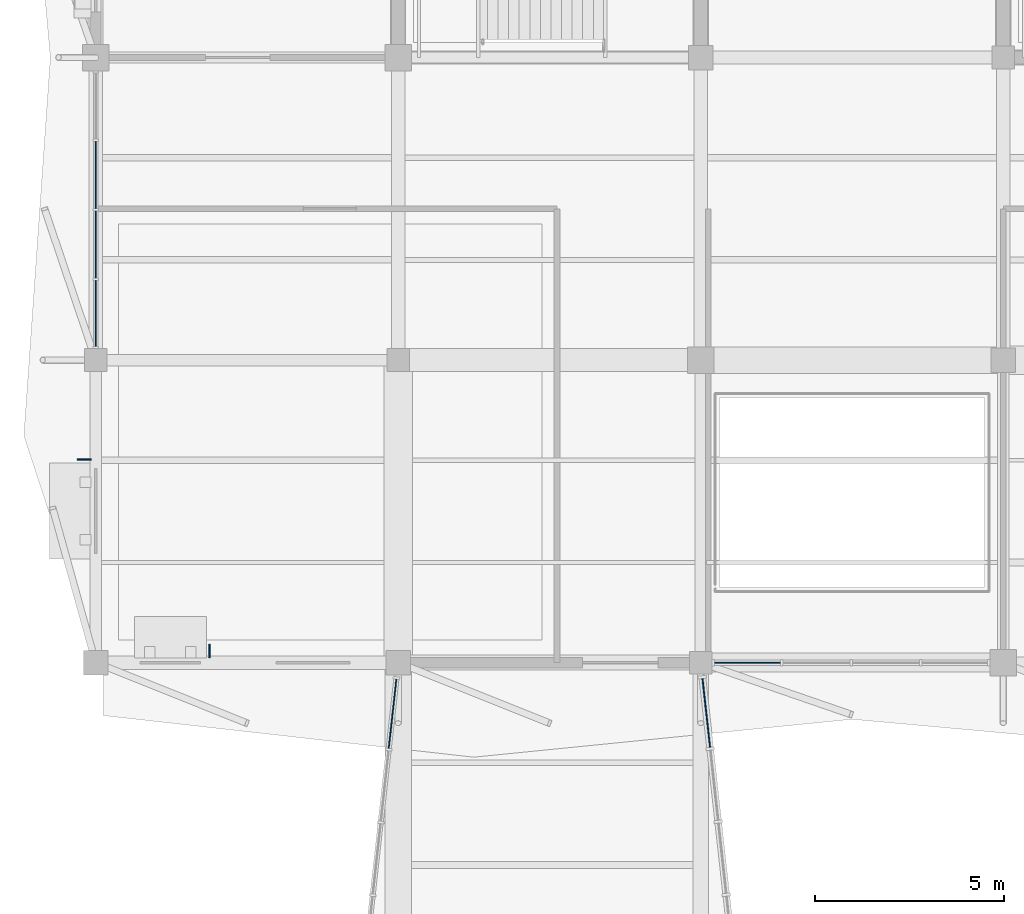
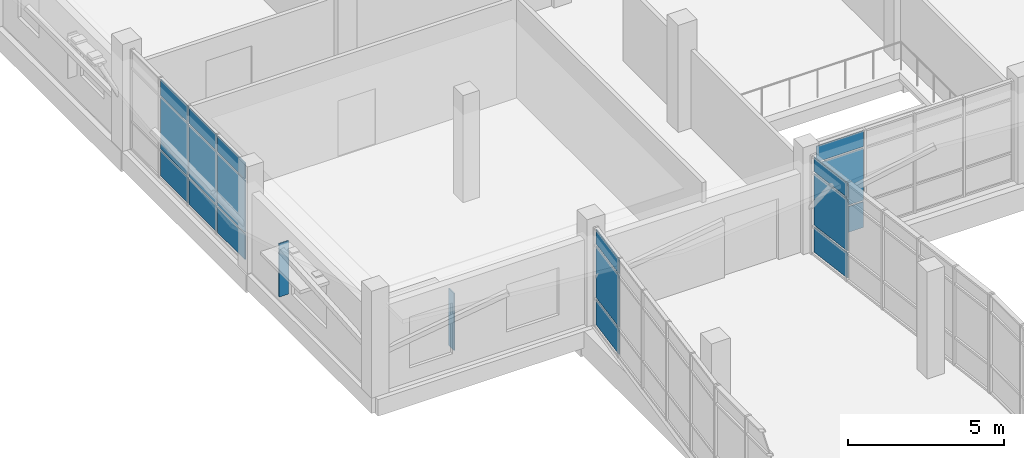
# One storey, part 58 of 84: 20 plates, 4 elements without a shape of their own.
"""IFC4 building model written with IfcOpenShell, lengths in metres."""

from ifc_helpers import new_model, si_unit, direction, frame, origin, origin_2d, place, context, subcontext, project, spatial, rectangle, extrude, material, layer, layer_set, type_object, element, aggregate, save


model = new_model("IFC4")

# Units and contexts
model_context = context("Model", 3, precision=1e-05, world=origin(), true_north=direction((0.0, 1.0)))
body_context = subcontext(model_context, "Body", "Model", "MODEL_VIEW")
ifc_project = project(units=[si_unit("LENGTHUNIT", "METRE"), si_unit("AREAUNIT", "SQUARE_METRE"), si_unit("VOLUMEUNIT", "CUBIC_METRE"), si_unit("PLANEANGLEUNIT", "RADIAN"), si_unit("MASSUNIT", "GRAM", prefix="KILO")], contexts=[model_context])

# Site, building, storey
site_placement = place(None, origin())
site = spatial("IfcSite", under=ifc_project, at=site_placement, CompositionType="ELEMENT")
building_placement = place(site_placement, origin())
building = spatial("IfcBuilding", under=site, at=building_placement, Name="Tenunan Teduh Sports Hall", CompositionType="ELEMENT")
storey_placement = place(building_placement, frame((0.0, 0.0, 10.800048828125)))
storey = spatial("IfcBuildingStorey", under=building, at=storey_placement, Name="L02", CompositionType="ELEMENT", Elevation=10.800048828125)

# Curtain wall, plates
ifc_material_1 = material(Name="Anodised aluminium", Category="aluminium")
curtain_wall_type_1 = type_object("IfcCurtainWallType", Name="CW-BRIDGE-1", PredefinedType="NOTDEFINED", material=ifc_material_1)
curtain_wall_1_placement = place(storey_placement, origin())
curtain_wall_1 = element("IfcCurtainWall", 1, at=curtain_wall_1_placement, inside=storey, type_object=curtain_wall_type_1, Name="CW-CWM-175-L02-186", PredefinedType="NOTDEFINED")
ifc_material_2 = material(Name="Low-E laminated double glazing", Category="glass")
ifc_layer_1 = layer(ifc_material_2, 0.028076171875)
ifc_layer_set_1 = layer_set([ifc_layer_1], Name="Low-E laminated double glazing")
plate_type_1 = type_object("IfcPlateType", Name="CWP-GLZ-28", PredefinedType="CURTAIN_PANEL", material=ifc_layer_set_1)
plate_1_placement = place(storey_placement, frame((13.85107421875, 76.64697265625, 1.13232421875), z_axis=(0.0, 0.0, 1.0), x_axis=(0.109337724315, 0.994004658964, 0.0)))
plate_1 = element("IfcPlate", 2, at=plate_1_placement, type_object=plate_type_1, Name="CW-05 panel 5.2", PredefinedType="CURTAIN_PANEL", context=body_context, shape_type="SweptSolid", body=[
    extrude(rectangle(XDim=1.83935546875, YDim=0.028076171875, at=origin_2d()), origin(), (0.0, 0.0, 1.0), 2.034912109375),
])
plate_2_placement = place(storey_placement, frame((13.85107421875, 76.64697265625, 3.232421875), z_axis=(0.0, 0.0, 1.0), x_axis=(0.109337724315, 0.994004658964, 0.0)))
plate_2 = element("IfcPlate", 3, at=plate_2_placement, type_object=plate_type_1, Name="CW-05 panel 5.3", PredefinedType="CURTAIN_PANEL", context=body_context, shape_type="SweptSolid", body=[
    extrude(rectangle(XDim=1.83935546875, YDim=0.028076171875, at=origin_2d()), origin(), (0.0, 0.0, 1.0), 0.58251953125),
])

ifc_material_3 = material(Name="Anodised aluminium", Category="aluminium")
curtain_wall_type_2 = type_object("IfcCurtainWallType", Name="CW-UNIT-2", PredefinedType="NOTDEFINED", material=ifc_material_3)
curtain_wall_2_placement = place(storey_placement, origin())
curtain_wall_2 = element("IfcCurtainWall", 4, at=curtain_wall_2_placement, inside=storey, type_object=curtain_wall_type_2, Name="CW-CWM-175-L02-210", PredefinedType="NOTDEFINED")
plate_3_placement = place(storey_placement, frame((23.235107421875, 78.0, 1.13232421875), z_axis=(0.0, 0.0, 1.0), x_axis=(1.0, 0.0, 0.0)))
plate_3 = element("IfcPlate", 5, at=plate_3_placement, type_object=plate_type_1, Name="CW-02 panel 1.2", PredefinedType="CURTAIN_PANEL", context=body_context, shape_type="SweptSolid", body=[
    extrude(rectangle(XDim=1.739990234375, YDim=0.028076171875, at=origin_2d()), origin(), (0.0, 0.0, 1.0), 2.034912109375),
])
plate_4_placement = place(storey_placement, frame((23.235107421875, 78.0, 3.232421875), z_axis=(0.0, 0.0, 1.0), x_axis=(1.0, 0.0, 0.0)))
plate_4 = element("IfcPlate", 6, at=plate_4_placement, type_object=plate_type_1, Name="CW-02 panel 1.3", PredefinedType="CURTAIN_PANEL", context=body_context, shape_type="SweptSolid", body=[
    extrude(rectangle(XDim=1.739990234375, YDim=0.028076171875, at=origin_2d()), origin(), (0.0, 0.0, 1.0), 0.62255859375),
])

curtain_wall_3_placement = place(storey_placement, origin())
curtain_wall_3 = element("IfcCurtainWall", 7, at=curtain_wall_3_placement, inside=storey, type_object=curtain_wall_type_1, Name="CW-CWM-220-L02-189", PredefinedType="NOTDEFINED")
ifc_material_4 = material(Name="Solar-control laminated glazing", Category="glass")
ifc_layer_2 = layer(ifc_material_4, 0.031982421875)
ifc_layer_set_2 = layer_set([ifc_layer_2], Name="Solar-control laminated glazing")
plate_type_2 = type_object("IfcPlateType", Name="CWP-GLZ-32", PredefinedType="CURTAIN_PANEL", material=ifc_layer_set_2)
plate_5_placement = place(storey_placement, frame((22.146240234375, 76.67041015625, 1.137451171875), z_axis=(0.0, 0.0, 1.0), x_axis=(-0.109340987788, 0.994004299985, 0.0)))
plate_5 = element("IfcPlate", 8, at=plate_5_placement, type_object=plate_type_2, Name="CW-05 panel 5.2", PredefinedType="CURTAIN_PANEL", context=body_context, shape_type="SweptSolid", body=[
    extrude(rectangle(XDim=1.830078125, YDim=0.031982421875, at=origin_2d()), origin(), (0.0, 0.0, 1.0), 2.02490234375),
])
plate_6_placement = place(storey_placement, frame((22.146240234375, 76.67041015625, 3.237548828125), z_axis=(0.0, 0.0, 1.0), x_axis=(-0.109340987788, 0.994004299985, 0.0)))
plate_6 = element("IfcPlate", 9, at=plate_6_placement, type_object=plate_type_2, Name="CW-05 panel 5.3", PredefinedType="CURTAIN_PANEL", context=body_context, shape_type="SweptSolid", body=[
    extrude(rectangle(XDim=1.830078125, YDim=0.031982421875, at=origin_2d()), origin(), (0.0, 0.0, 1.0), 0.5673828125),
])

curtain_wall_4_placement = place(storey_placement, origin())
curtain_wall_4 = element("IfcCurtainWall", 10, at=curtain_wall_4_placement, inside=storey, type_object=curtain_wall_type_2, Name="CW-CWM-150-L02-219", PredefinedType="NOTDEFINED")
plate_7_placement = place(storey_placement, frame((6.0, 87.233642578125, 1.1298828125), z_axis=(0.0, 0.0, 1.0), x_axis=(0.0, 1.0, 0.0)))
plate_7 = element("IfcPlate", 11, at=plate_7_placement, type_object=plate_type_2, Name="CW-02 panel 1.2", PredefinedType="CURTAIN_PANEL", context=body_context, shape_type="SweptSolid", body=[
    extrude(rectangle(XDim=1.74755859375, YDim=0.031982421875, at=origin_2d()), origin(), (0.0, 0.0, 1.0), 2.0400390625),
])
plate_8_placement = place(storey_placement, frame((6.0, 87.233642578125, 3.22998046875), z_axis=(0.0, 0.0, 1.0), x_axis=(0.0, 1.0, 0.0)))
plate_8 = element("IfcPlate", 12, at=plate_8_placement, type_object=plate_type_2, Name="CW-02 panel 1.3", PredefinedType="CURTAIN_PANEL", context=body_context, shape_type="SweptSolid", body=[
    extrude(rectangle(XDim=1.74755859375, YDim=0.031982421875, at=origin_2d()), origin(), (0.0, 0.0, 1.0), 0.6298828125),
])
plate_9_placement = place(storey_placement, frame((6.0, 89.05615234375, 1.1298828125), z_axis=(0.0, 0.0, 1.0), x_axis=(0.0, 1.0, 0.0)))
plate_9 = element("IfcPlate", 13, at=plate_9_placement, type_object=plate_type_2, Name="CW-02 panel 2.2", PredefinedType="CURTAIN_PANEL", context=body_context, shape_type="SweptSolid", body=[
    extrude(rectangle(XDim=1.777587890625, YDim=0.031982421875, at=origin_2d()), origin(), (0.0, 0.0, 1.0), 2.0400390625),
])
plate_10_placement = place(storey_placement, frame((6.0, 89.05615234375, 3.22998046875), z_axis=(0.0, 0.0, 1.0), x_axis=(0.0, 1.0, 0.0)))
plate_10 = element("IfcPlate", 14, at=plate_10_placement, type_object=plate_type_2, Name="CW-02 panel 2.3", PredefinedType="CURTAIN_PANEL", context=body_context, shape_type="SweptSolid", body=[
    extrude(rectangle(XDim=1.777587890625, YDim=0.031982421875, at=origin_2d()), origin(), (0.0, 0.0, 1.0), 0.6298828125),
])
plate_11_placement = place(storey_placement, frame((6.0, 90.893798828125, 1.1298828125), z_axis=(0.0, 0.0, 1.0), x_axis=(0.0, 1.0, 0.0)))
plate_11 = element("IfcPlate", 15, at=plate_11_placement, type_object=plate_type_2, Name="CW-02 panel 3.2", PredefinedType="CURTAIN_PANEL", context=body_context, shape_type="SweptSolid", body=[
    extrude(rectangle(XDim=1.777587890625, YDim=0.031982421875, at=origin_2d()), origin(), (0.0, 0.0, 1.0), 2.0400390625),
])
plate_12_placement = place(storey_placement, frame((6.0, 90.893798828125, 3.22998046875), z_axis=(0.0, 0.0, 1.0), x_axis=(0.0, 1.0, 0.0)))
plate_12 = element("IfcPlate", 16, at=plate_12_placement, type_object=plate_type_2, Name="CW-02 panel 3.3", PredefinedType="CURTAIN_PANEL", context=body_context, shape_type="SweptSolid", body=[
    extrude(rectangle(XDim=1.777587890625, YDim=0.031982421875, at=origin_2d()), origin(), (0.0, 0.0, 1.0), 0.6298828125),
])

# Plate
ifc_material_5 = material(Name="Insulated aluminium spandrel panel", Category="aluminium")
ifc_layer_3 = layer(ifc_material_5, 0.044921875)
ifc_layer_set_3 = layer_set([ifc_layer_3], Name="Insulated aluminium spandrel panel")
plate_type_3 = type_object("IfcPlateType", Name="CWP-SPN-45", PredefinedType="CURTAIN_PANEL", material=ifc_layer_set_3)
plate_13_placement = place(storey_placement, frame((13.85107421875, 76.64697265625, 0.06494140625), z_axis=(0.0, 0.0, 1.0), x_axis=(0.109337724315, 0.994004658964, 0.0)))
plate_13 = element("IfcPlate", 17, at=plate_13_placement, type_object=plate_type_3, Name="CW-05 panel 5.1", PredefinedType="CURTAIN_PANEL", context=body_context, shape_type="SweptSolid", body=[
    extrude(rectangle(XDim=1.83935546875, YDim=0.028076171875, at=origin_2d()), origin(), (0.0, 0.0, 1.0), 1.00244140625),
])

aggregate(curtain_wall_1, [plate_13, plate_1, plate_2])

plate_14_placement = place(storey_placement, frame((22.146240234375, 76.67041015625, 0.07470703125), z_axis=(0.0, 0.0, 1.0), x_axis=(-0.109340987788, 0.994004299985, 0.0)))
plate_14 = element("IfcPlate", 18, at=plate_14_placement, type_object=plate_type_3, Name="CW-05 panel 5.1", PredefinedType="CURTAIN_PANEL", context=body_context, shape_type="SweptSolid", body=[
    extrude(rectangle(XDim=1.830078125, YDim=0.031982421875, at=origin_2d()), origin(), (0.0, 0.0, 1.0), 0.987548828125),
])

aggregate(curtain_wall_3, [plate_14, plate_5, plate_6])

plate_15_placement = place(storey_placement, frame((23.235107421875, 78.0, 0.06494140625), z_axis=(0.0, 0.0, 1.0), x_axis=(1.0, 0.0, 0.0)))
plate_15 = element("IfcPlate", 19, at=plate_15_placement, type_object=plate_type_3, Name="CW-02 panel 1.1", PredefinedType="CURTAIN_PANEL", context=body_context, shape_type="SweptSolid", body=[
    extrude(rectangle(XDim=1.739990234375, YDim=0.028076171875, at=origin_2d()), origin(), (0.0, 0.0, 1.0), 1.00244140625),
])

aggregate(curtain_wall_2, [plate_15, plate_3, plate_4])

plate_16_placement = place(storey_placement, frame((6.0, 87.233642578125, 0.06005859375), z_axis=(0.0, 0.0, 1.0), x_axis=(0.0, 1.0, 0.0)))
plate_16 = element("IfcPlate", 20, at=plate_16_placement, type_object=plate_type_3, Name="CW-02 panel 1.1", PredefinedType="CURTAIN_PANEL", context=body_context, shape_type="SweptSolid", body=[
    extrude(rectangle(XDim=1.74755859375, YDim=0.031982421875, at=origin_2d()), origin(), (0.0, 0.0, 1.0), 1.010009765625),
])

plate_17_placement = place(storey_placement, frame((6.0, 89.05615234375, 0.06005859375), z_axis=(0.0, 0.0, 1.0), x_axis=(0.0, 1.0, 0.0)))
plate_17 = element("IfcPlate", 21, at=plate_17_placement, type_object=plate_type_3, Name="CW-02 panel 2.1", PredefinedType="CURTAIN_PANEL", context=body_context, shape_type="SweptSolid", body=[
    extrude(rectangle(XDim=1.777587890625, YDim=0.031982421875, at=origin_2d()), origin(), (0.0, 0.0, 1.0), 1.010009765625),
])

plate_18_placement = place(storey_placement, frame((6.0, 90.893798828125, 0.06005859375), z_axis=(0.0, 0.0, 1.0), x_axis=(0.0, 1.0, 0.0)))
plate_18 = element("IfcPlate", 22, at=plate_18_placement, type_object=plate_type_3, Name="CW-02 panel 3.1", PredefinedType="CURTAIN_PANEL", context=body_context, shape_type="SweptSolid", body=[
    extrude(rectangle(XDim=1.777587890625, YDim=0.031982421875, at=origin_2d()), origin(), (0.0, 0.0, 1.0), 1.010009765625),
])

aggregate(curtain_wall_4, [plate_16, plate_7, plate_8, plate_17, plate_9, plate_10, plate_18, plate_11, plate_12])

# Plates
ifc_material_6 = material(Name="Anodised aluminium", Category="aluminium")
ifc_layer_4 = layer(ifc_material_6, 1.89990234375)
ifc_layer_set_4 = layer_set([ifc_layer_4], Name="Anodised aluminium")
plate_type_4 = type_object("IfcPlateType", Name="PLT-FIN-1", PredefinedType="SHEET", material=ifc_layer_set_4)
plate_19_placement = place(storey_placement, frame((9.014892578125, 78.304931640625, 0.43017578125), z_axis=(0.0, 0.0, 1.0), x_axis=(1.0, 0.0, 0.0)))
element("IfcPlate", 23, at=plate_19_placement, inside=storey, type_object=plate_type_4, Name="PLT-FIN-L02-038", PredefinedType="SHEET", context=body_context, shape_type="SweptSolid", body=[
    extrude(rectangle(XDim=0.0400390625, YDim=0.360107421875, at=origin_2d()), origin(), (0.0, 0.0, 1.0), 2.239990234375),
])
plate_20_placement = place(storey_placement, frame((5.699951171875, 83.375, 0.580078125), z_axis=(0.0, 0.0, 1.0), x_axis=(0.0, 1.0, 0.0)))
element("IfcPlate", 24, at=plate_20_placement, inside=storey, type_object=plate_type_4, Name="PLT-FIN-L02-050", PredefinedType="SHEET", context=body_context, shape_type="SweptSolid", body=[
    extrude(rectangle(XDim=0.0400390625, YDim=0.360107421875, at=origin_2d()), origin(), (0.0, 0.0, 1.0), 2.090087890625),
])

save(model, "model.ifc")
